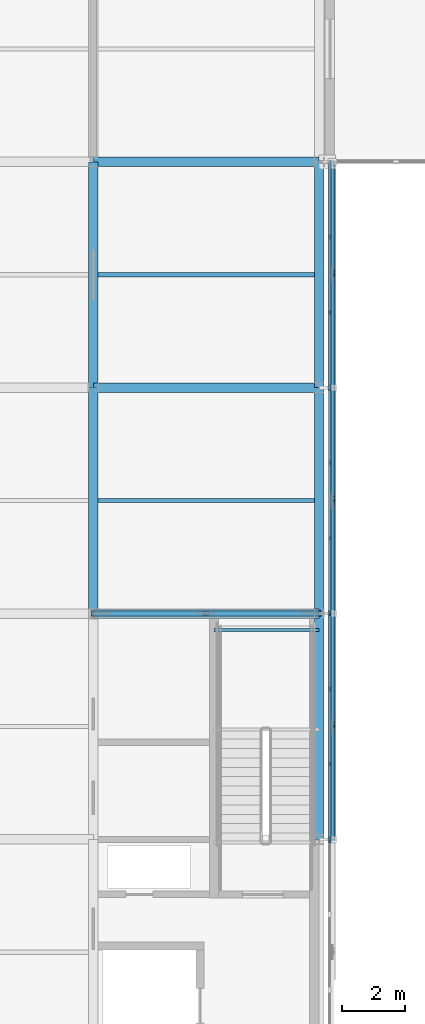
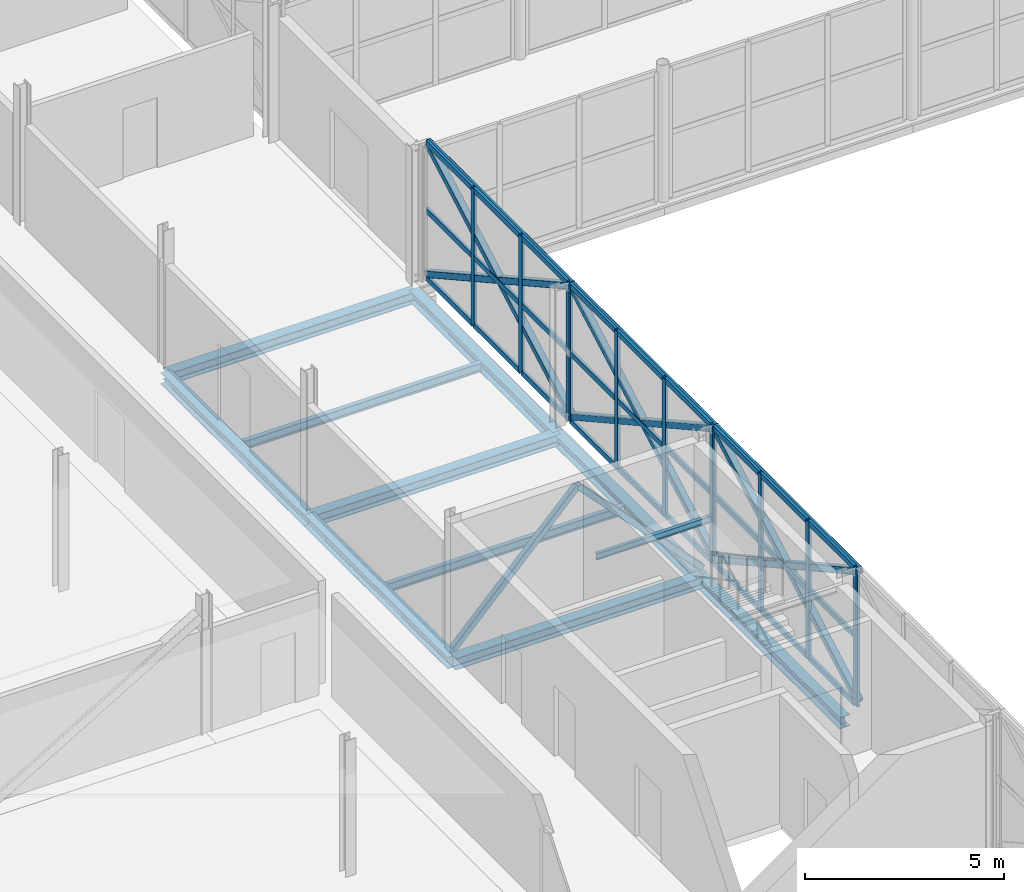
# One storey, part 44 of 126: 53 members, 11 beams, 4 elements without a shape of their own.
"""IFC4 building model written with IfcOpenShell, lengths in metres."""

import ifcopenshell
import ifcopenshell.guid

model = None  # the IFC model being written
_history = None  # IfcOwnerHistory: only IFC2X3 demands one
_inside = {}  # id of a spatial element -> (the spatial element, [elements in it])
_under = {}  # id of a project, library or spatial element -> (it, [spatial elements below it])
_declared = {}  # id of a project -> (the project, [libraries it declares])
_typed = {}  # id of a type object -> (the type object, [elements of that type])
_made_of = {}  # id of a material, layer set ... -> (it, [elements and type objects made of it])


def new_model(schema):
    """Start an empty IFC model of exactly this schema.

    Asked for "IFC4X3", IfcOpenShell would pick the latest addendum, in which some entities
    have other attributes; the version numbers below select the first issue.
    IFC2X3 requires an IfcOwnerHistory on every rooted entity: one is made here for all.
    """
    global model, _history
    if schema == "IFC4X3":
        model = ifcopenshell.file(schema_version=(4, 3, 0, 0))
    else:
        model = ifcopenshell.file(schema=schema)
    _inside.clear()
    _under.clear()
    _declared.clear()
    _typed.clear()
    _made_of.clear()
    _history = None
    if model.schema == "IFC2X3":
        org = make("IfcOrganization", Name="unknown")
        user = make(
            "IfcPersonAndOrganization",
            ThePerson=make("IfcPerson", FamilyName="unknown"),
            TheOrganization=org,
        )
        app = make(
            "IfcApplication",
            ApplicationDeveloper=org,
            Version="unknown",
            ApplicationFullName="unknown",
            ApplicationIdentifier="unknown",
        )
        _history = make(
            "IfcOwnerHistory",
            OwningUser=user,
            OwningApplication=app,
            ChangeAction="ADDED",
            CreationDate=0,
        )
    return model


def make(cls, **values):
    """One entity of the class cls with the attributes given. An attribute that is None is left unset."""
    return model.create_entity(
        cls, **{name: value for name, value in values.items() if value is not None}
    )


def rooted(cls, **values):
    """An entity with a GlobalId (a new one), such as an element, a storey or a relation."""
    return make(cls, GlobalId=ifcopenshell.guid.new(), OwnerHistory=_history, **values)


def si_unit(unit_type, name, prefix=None):
    """IfcSIUnit, for example si_unit("LENGTHUNIT", "METRE", prefix="MILLI")."""
    return make("IfcSIUnit", UnitType=unit_type, Prefix=prefix, Name=name)


def assignment(units):
    """IfcUnitAssignment: the units of a project."""
    return None if units is None else make("IfcUnitAssignment", Units=units)


def point(xyz):
    """IfcCartesianPoint."""
    return None if xyz is None else make("IfcCartesianPoint", Coordinates=xyz)


def direction(xyz):
    """IfcDirection."""
    return None if xyz is None else make("IfcDirection", DirectionRatios=xyz)


def frame(location, z_axis=None, x_axis=None):
    """IfcAxis2Placement3D, a coordinate frame: its origin and axes. An axis left out is left unset."""
    return make(
        "IfcAxis2Placement3D",
        Location=point(location),
        Axis=direction(z_axis),
        RefDirection=direction(x_axis),
    )


def frame_2d(location, x_axis=None):
    """IfcAxis2Placement2D, a coordinate frame in the plane: its origin and x axis."""
    return make(
        "IfcAxis2Placement2D", Location=point(location), RefDirection=direction(x_axis)
    )


def origin():
    """The frame at (0, 0, 0) with its axes left unset."""
    return frame((0.0, 0.0, 0.0))


def origin_2d():
    """The frame at (0, 0) in the plane with its x axis left unset."""
    return frame_2d((0.0, 0.0))


def place(relative_to, where):
    """IfcLocalPlacement: puts the frame where relative to a parent placement (None: the world)."""
    return make(
        "IfcLocalPlacement", PlacementRelTo=relative_to, RelativePlacement=where
    )


def context(
    kind, dimensions, precision=None, world=None, true_north=None, identifier=None
):
    """IfcGeometricRepresentationContext, for example the 3D "Model" context."""
    return make(
        "IfcGeometricRepresentationContext",
        ContextIdentifier=identifier,
        ContextType=kind,
        CoordinateSpaceDimension=dimensions,
        Precision=precision,
        WorldCoordinateSystem=world,
        TrueNorth=true_north,
    )


def subcontext(parent, identifier, kind, view, scale=None):
    """IfcGeometricRepresentationSubContext, for example "Body" below "Model"."""
    return make(
        "IfcGeometricRepresentationSubContext",
        ContextIdentifier=identifier,
        ContextType=kind,
        ParentContext=parent,
        TargetScale=scale,
        TargetView=view,
    )


def project(units=None, contexts=None):
    """IfcProject with its units and contexts."""
    return rooted(
        "IfcProject",
        Name="project",
        RepresentationContexts=contexts,
        UnitsInContext=assignment(units),
    )


def spatial(cls, under=None, at=None, **own):
    """A site, building, storey or space (cls), placed at a placement, below another one or the project."""
    s = rooted(cls, ObjectPlacement=at, **own)
    if under is not None:
        _under.setdefault(under.id(), (under, []))[1].append(s)
    return s


def profile(cls, at=None, kind="AREA", **sizes):
    """A parametric profile (cls). Its sizes go by their IFC names, for example OverallWidth=200.0."""
    return make(cls, ProfileType=kind, Position=at, **sizes)


def rectangle(**sizes):
    """IfcRectangleProfileDef."""
    return profile("IfcRectangleProfileDef", **sizes)


def hollow_rectangle(**sizes):
    """IfcRectangleHollowProfileDef."""
    return profile("IfcRectangleHollowProfileDef", **sizes)


def i_section(**sizes):
    """IfcIShapeProfileDef."""
    return profile("IfcIShapeProfileDef", **sizes)


def extrude(swept, where, along, depth):
    """IfcExtrudedAreaSolid: the profile swept, set in the frame where, extruded along a direction by depth."""
    return make(
        "IfcExtrudedAreaSolid",
        SweptArea=swept,
        Position=where,
        ExtrudedDirection=direction(along),
        Depth=depth,
    )


def shape(context_of_items, identifier, shape_type, items):
    """IfcShapeRepresentation: the items that make up one representation, for example the "Body"."""
    return make(
        "IfcShapeRepresentation",
        ContextOfItems=context_of_items,
        RepresentationIdentifier=identifier,
        RepresentationType=shape_type,
        Items=items,
    )


def material(Name=None, Category=None):
    """IfcMaterial."""
    return make("IfcMaterial", Name=Name, Category=Category)


def material_profile(
    of_material, cross_section, Name=None, Category=None, Priority=None
):
    """IfcMaterialProfile: a cross section and its material."""
    return make(
        "IfcMaterialProfile",
        Name=Name,
        Material=of_material,
        Profile=cross_section,
        Priority=Priority,
        Category=Category,
    )


def profile_set(profiles, Name=None, composite=None):
    """IfcMaterialProfileSet."""
    return make(
        "IfcMaterialProfileSet",
        Name=Name,
        MaterialProfiles=profiles,
        CompositeProfile=composite,
    )


def made_of(thing, what):
    """Note that an element or type object is made of a material, layer set ...; save() writes the relation."""
    if what is not None:
        _made_of.setdefault(what.id(), (what, []))[1].append(thing)
    return thing


def type_object(cls, material=None, **own):
    """A type object (cls), such as IfcWallType, which elements share."""
    return made_of(rooted(cls, **own), material)


def element(
    cls,
    number,
    at=None,
    inside=None,
    cuts=None,
    type_object=None,
    material=None,
    context=None,
    identifier="Body",
    shape_type=None,
    held_by="IfcProductDefinitionShape",
    body=None,
    shapes=None,
    **own,
):
    """One element of the class cls, such as IfcWall. Its Tag is "e" and its number.

    at: its placement. inside: the storey or other place that contains it. cuts: it is an
    opening in that element (IfcRelVoidsElement). A single representation is given by context,
    identifier, shape_type and body (its items); several are given by shapes. held_by: the class
    of the entity that holds the representations. save() writes the other relations.
    """
    e = rooted(cls, Tag="e%d" % number, ObjectPlacement=at, **own)
    if body is not None:
        shapes = [shape(context, identifier, shape_type, body)]
    if shapes is not None:
        e.Representation = make(held_by, Representations=shapes)
    if inside is not None:
        _inside.setdefault(inside.id(), (inside, []))[1].append(e)
    if cuts is not None:
        rooted(
            "IfcRelVoidsElement", RelatingBuildingElement=cuts, RelatedOpeningElement=e
        )
    if type_object is not None:
        _typed.setdefault(type_object.id(), (type_object, []))[1].append(e)
    return made_of(e, material)


def aggregate(whole, parts):
    """IfcRelAggregates: a whole, such as a stair, and the parts it consists of."""
    return rooted("IfcRelAggregates", RelatingObject=whole, RelatedObjects=parts)


def save(model, path):
    """Write the relations noted so far, then the file.

    IfcRelAggregates (storeys below a building ...), IfcRelContainedInSpatialStructure (elements
    in a storey), IfcRelDefinesByType, IfcRelAssociatesMaterial and IfcRelDeclares: one each for
    every whole, place, type object, material and project.
    """
    for whole, parts in _under.values():
        aggregate(whole, parts)
    for where, things in _inside.values():
        rooted(
            "IfcRelContainedInSpatialStructure",
            RelatedElements=things,
            RelatingStructure=where,
        )
    for kind, things in _typed.values():
        rooted("IfcRelDefinesByType", RelatedObjects=things, RelatingType=kind)
    for what, things in _made_of.values():
        rooted("IfcRelAssociatesMaterial", RelatedObjects=things, RelatingMaterial=what)
    for by, libraries in _declared.values():
        rooted("IfcRelDeclares", RelatingContext=by, RelatedDefinitions=libraries)
    model.write(path)


model = new_model("IFC4")

# Units and contexts
model_context = context("Model", 3, precision=1e-05, world=origin(), true_north=direction((0.0, 1.0)))
body_context = subcontext(model_context, "Body", "Model", "MODEL_VIEW")
ifc_project = project(units=[si_unit("LENGTHUNIT", "METRE"), si_unit("AREAUNIT", "SQUARE_METRE"), si_unit("VOLUMEUNIT", "CUBIC_METRE"), si_unit("PLANEANGLEUNIT", "RADIAN"), si_unit("MASSUNIT", "GRAM", prefix="KILO")], contexts=[model_context])

# Site, building, storey
site_placement = place(None, origin())
site = spatial("IfcSite", under=ifc_project, at=site_placement, CompositionType="ELEMENT")
building_placement = place(site_placement, origin())
building = spatial("IfcBuilding", under=site, at=building_placement, Name="Zlatovets Crest Museum", CompositionType="ELEMENT")
storey_placement = place(building_placement, frame((0.0, 0.0, 8.699951171875)))
storey = spatial("IfcBuildingStorey", under=building, at=storey_placement, Name="L02", CompositionType="ELEMENT", Elevation=8.699951171875)

# Beams
ifc_material_1 = material(Name="Structural steel S355J2", Category="steel")
ifc_material_profile_1 = material_profile(ifc_material_1, i_section(OverallWidth=0.300048828125, OverallDepth=0.35009765625, WebThickness=0.010009765625, FlangeThickness=0.017578125, FilletRadius=0.027099609375, at=origin_2d()), Name="HEA 360")
ifc_profile_set_1 = profile_set([ifc_material_profile_1], Name="Structural steel S355J2")
beam_type_1 = type_object("IfcBeamType", Name="Beam_B-03", PredefinedType="BEAM", material=ifc_profile_set_1)
for number, where, z_axis, x_axis, name in (
    (1, (28.800048828125, 72.0, -0.39501953125), (1.0, 0.0, 0.0), (0.0, 1.0, 0.0), "V4 L02 Primary Girder B-03"),
    (2, (28.800048828125, 79.199951171875, -0.39501953125), (1.0, 0.0, 0.0), (0.0, 1.0, 0.0), "V4 L02 Primary Girder B-03"),
    (3, (28.800048828125, 86.39990234375, -0.39501953125), (1.0, 0.0, 0.0), (0.0, 1.0, 0.0), "V4 L02 Primary Girder B-03"),
    (4, (28.800048828125, 72.0, -0.39501953125), (0.0, 1.0, 0.0), (-1.0, 0.0, 0.0), "V4 L02 Grid Beam B-03"),
    (5, (28.800048828125, 79.199951171875, -0.39501953125), (0.0, 1.0, 0.0), (-1.0, 0.0, 0.0), "V4 L02 Grid Beam B-03"),
    (6, (36.0, 64.800048828125, -0.39501953125), (0.0, 1.0, 0.0), (-1.0, 0.0, 0.0), "V4 L02 Grid Beam B-03"),
    (7, (36.0, 72.0, -0.39501953125), (0.0, 1.0, 0.0), (-1.0, 0.0, 0.0), "V4 L02 Grid Beam B-03"),
    (8, (36.0, 79.199951171875, -0.39501953125), (0.0, 1.0, 0.0), (-1.0, 0.0, 0.0), "V4 L02 Grid Beam B-03"),
):
    element("IfcBeam", number, at=place(storey_placement, frame(where, z_axis=z_axis, x_axis=x_axis)), inside=storey, type_object=beam_type_1, Name=name, PredefinedType="BEAM", context=body_context, shape_type="SweptSolid", body=[
        extrude(i_section(OverallWidth=0.300048828125, OverallDepth=0.35009765625, WebThickness=0.010009765625, FlangeThickness=0.017578125, FilletRadius=0.027099609375, at=origin_2d()), origin(), (0.0, 0.0, 1.0), 7.199951171875),
    ])
ifc_material_profile_2 = material_profile(ifc_material_1, i_section(OverallWidth=0.135009765625, OverallDepth=0.27001953125, WebThickness=0.006591796875, FlangeThickness=0.01025390625, FilletRadius=0.014892578125, at=origin_2d()), Name="IPE 270")
ifc_profile_set_2 = profile_set([ifc_material_profile_2], Name="Structural steel S355J2")
beam_type_2 = type_object("IfcBeamType", Name="Beam_J-03", PredefinedType="JOIST", material=ifc_profile_set_2)
for number, where, z_axis, x_axis, name in (
    (9, (28.949951171875, 75.60009765625, -0.35498046875), (1.0, 0.0, 0.0), (0.0, 1.0, 0.0), "V4 L02 Composite Joist J-03"),
    (10, (28.949951171875, 82.800048828125, -0.35498046875), (1.0, 0.0, 0.0), (0.0, 1.0, 0.0), "V4 L02 Composite Joist J-03"),
):
    element("IfcBeam", number, at=place(storey_placement, frame(where, z_axis=z_axis, x_axis=x_axis)), inside=storey, type_object=beam_type_2, Name=name, PredefinedType="JOIST", context=body_context, shape_type="SweptSolid", body=[
        extrude(i_section(OverallWidth=0.135009765625, OverallDepth=0.27001953125, WebThickness=0.006591796875, FlangeThickness=0.01025390625, FilletRadius=0.014892578125, at=origin_2d()), origin(), (0.0, 0.0, 1.0), 6.900146484375),
    ])
ifc_material_profile_3 = material_profile(ifc_material_1, i_section(OverallWidth=0.10009765625, OverallDepth=0.199951171875, WebThickness=0.005615234375, FlangeThickness=0.008544921875, FilletRadius=0.011962890625, at=origin_2d()), Name="IPE 200")
ifc_profile_set_3 = profile_set([ifc_material_profile_3], Name="Structural steel S355J2")
beam_type_3 = type_object("IfcBeamType", Name="Beam_PR-02", PredefinedType="LINTEL", material=ifc_profile_set_3)
beam_placement = place(storey_placement, frame((32.64990234375, 71.47998046875, 1.800048828125), z_axis=(1.0, 0.0, 0.0), x_axis=(0.0, 1.0, 0.0)))
element("IfcBeam", 11, at=beam_placement, inside=storey, type_object=beam_type_3, Name="Core C4 L02 Half-Landing Support Beam", PredefinedType="LINTEL", context=body_context, shape_type="SweptSolid", body=[
    extrude(i_section(OverallWidth=0.10009765625, OverallDepth=0.199951171875, WebThickness=0.005615234375, FlangeThickness=0.008544921875, FilletRadius=0.011962890625, at=origin_2d()), origin(), (0.0, 0.0, 1.0), 3.35009765625),
])

# Curtain wall, member
ifc_material_2 = material(Name="Bronze-anodised aluminium and low-E triple glass", Category="aluminium")
curtain_wall_type_1 = type_object("IfcCurtainWallType", Name="CW_CW-V4-L02-M1", PredefinedType="NOTDEFINED", material=ifc_material_2)
curtain_wall_1_placement = place(storey_placement, origin())
curtain_wall_1 = element("IfcCurtainWall", 12, at=curtain_wall_1_placement, inside=storey, type_object=curtain_wall_type_1, Name="V4 L02 Expressed Core Glazed Facade", PredefinedType="NOTDEFINED")
ifc_material_3 = material(Name="Bronze-anodised aluminium EN AW-6060", Category="aluminium")
ifc_material_profile_4 = material_profile(ifc_material_3, rectangle(XDim=0.080078125, YDim=0.159912109375, at=origin_2d()), Name="ALU 80x160")
ifc_profile_set_4 = profile_set([ifc_material_profile_4], Name="Bronze-anodised aluminium EN AW-6060")
member_type_1 = type_object("IfcMemberType", Name="CWMull_M1", PredefinedType="MULLION", material=ifc_profile_set_4)
member_1_placement = place(storey_placement, frame((36.340087890625, 64.77001953125, 0.0), z_axis=(0.0, 0.0, 1.0), x_axis=(-1.0, 0.0, 0.0)))
member_1 = element("IfcMember", 13, at=member_1_placement, type_object=member_type_1, Name="CW-V4-L02-M1 mullion 4", PredefinedType="MULLION", context=body_context, shape_type="SweptSolid", body=[
    extrude(rectangle(XDim=0.080078125, YDim=0.159912109375, at=origin_2d()), origin(), (0.0, 0.0, 1.0), 4.199951171875),
])
aggregate(curtain_wall_1, [member_1])

# Curtain wall, members
curtain_wall_type_2 = type_object("IfcCurtainWallType", Name="CW_CW-V4-L02-M2", PredefinedType="NOTDEFINED", material=ifc_material_2)
curtain_wall_2_placement = place(storey_placement, origin())
curtain_wall_2 = element("IfcCurtainWall", 14, at=curtain_wall_2_placement, inside=storey, type_object=curtain_wall_type_2, Name="V4 L02 Expressed Core Glazed Facade", PredefinedType="NOTDEFINED")
member_2_placement = place(storey_placement, frame((36.340087890625, 64.830078125, 0.0), z_axis=(0.0, 0.0, 1.0), x_axis=(-1.0, 0.0, 0.0)))
member_2 = element("IfcMember", 15, at=member_2_placement, type_object=member_type_1, Name="CW-V4-L02-M2 mullion 1", PredefinedType="MULLION", context=body_context, shape_type="SweptSolid", body=[
    extrude(rectangle(XDim=0.080078125, YDim=0.159912109375, at=origin_2d()), origin(), (0.0, 0.0, 1.0), 4.199951171875),
])
member_3_placement = place(storey_placement, frame((36.340087890625, 67.199951171875, 0.0), z_axis=(0.0, 0.0, 1.0), x_axis=(-1.0, 0.0, 0.0)))
member_3 = element("IfcMember", 16, at=member_3_placement, type_object=member_type_1, Name="CW-V4-L02-M2 mullion 2", PredefinedType="MULLION", context=body_context, shape_type="SweptSolid", body=[
    extrude(rectangle(XDim=0.080078125, YDim=0.159912109375, at=origin_2d()), origin(), (0.0, 0.0, 1.0), 4.199951171875),
])
member_4_placement = place(storey_placement, frame((36.340087890625, 69.60009765625, 0.0), z_axis=(0.0, 0.0, 1.0), x_axis=(-1.0, 0.0, 0.0)))
member_4 = element("IfcMember", 17, at=member_4_placement, type_object=member_type_1, Name="CW-V4-L02-M2 mullion 3", PredefinedType="MULLION", context=body_context, shape_type="SweptSolid", body=[
    extrude(rectangle(XDim=0.080078125, YDim=0.159912109375, at=origin_2d()), origin(), (0.0, 0.0, 1.0), 4.199951171875),
])
member_5_placement = place(storey_placement, frame((36.340087890625, 71.969970703125, 0.0), z_axis=(0.0, 0.0, 1.0), x_axis=(-1.0, 0.0, 0.0)))
member_5 = element("IfcMember", 18, at=member_5_placement, type_object=member_type_1, Name="CW-V4-L02-M2 mullion 4", PredefinedType="MULLION", context=body_context, shape_type="SweptSolid", body=[
    extrude(rectangle(XDim=0.080078125, YDim=0.159912109375, at=origin_2d()), origin(), (0.0, 0.0, 1.0), 4.199951171875),
])

curtain_wall_type_3 = type_object("IfcCurtainWallType", Name="CW_CW-V4-L02-M3", PredefinedType="NOTDEFINED", material=ifc_material_2)
curtain_wall_3_placement = place(storey_placement, origin())
curtain_wall_3 = element("IfcCurtainWall", 19, at=curtain_wall_3_placement, inside=storey, type_object=curtain_wall_type_3, Name="V4 L02 Secession Foyer Clear Curtain Wall", PredefinedType="NOTDEFINED")
member_6_placement = place(storey_placement, frame((36.340087890625, 72.030029296875, 0.0), z_axis=(0.0, 0.0, 1.0), x_axis=(-1.0, 0.0, 0.0)))
member_6 = element("IfcMember", 20, at=member_6_placement, type_object=member_type_1, Name="CW-V4-L02-M3 mullion 1", PredefinedType="MULLION", context=body_context, shape_type="SweptSolid", body=[
    extrude(rectangle(XDim=0.080078125, YDim=0.159912109375, at=origin_2d()), origin(), (0.0, 0.0, 1.0), 4.199951171875),
])
member_7_placement = place(storey_placement, frame((36.340087890625, 74.39990234375, 0.0), z_axis=(0.0, 0.0, 1.0), x_axis=(-1.0, 0.0, 0.0)))
member_7 = element("IfcMember", 21, at=member_7_placement, type_object=member_type_1, Name="CW-V4-L02-M3 mullion 2", PredefinedType="MULLION", context=body_context, shape_type="SweptSolid", body=[
    extrude(rectangle(XDim=0.080078125, YDim=0.159912109375, at=origin_2d()), origin(), (0.0, 0.0, 1.0), 4.199951171875),
])
member_8_placement = place(storey_placement, frame((36.340087890625, 76.800048828125, 0.0), z_axis=(0.0, 0.0, 1.0), x_axis=(-1.0, 0.0, 0.0)))
member_8 = element("IfcMember", 22, at=member_8_placement, type_object=member_type_1, Name="CW-V4-L02-M3 mullion 3", PredefinedType="MULLION", context=body_context, shape_type="SweptSolid", body=[
    extrude(rectangle(XDim=0.080078125, YDim=0.159912109375, at=origin_2d()), origin(), (0.0, 0.0, 1.0), 4.199951171875),
])
member_9_placement = place(storey_placement, frame((36.340087890625, 79.169921875, 0.0), z_axis=(0.0, 0.0, 1.0), x_axis=(-1.0, 0.0, 0.0)))
member_9 = element("IfcMember", 23, at=member_9_placement, type_object=member_type_1, Name="CW-V4-L02-M3 mullion 4", PredefinedType="MULLION", context=body_context, shape_type="SweptSolid", body=[
    extrude(rectangle(XDim=0.080078125, YDim=0.159912109375, at=origin_2d()), origin(), (0.0, 0.0, 1.0), 4.199951171875),
])

curtain_wall_type_4 = type_object("IfcCurtainWallType", Name="CW_CW-V4-L02-M0", PredefinedType="NOTDEFINED", material=ifc_material_2)
curtain_wall_4_placement = place(storey_placement, origin())
curtain_wall_4 = element("IfcCurtainWall", 24, at=curtain_wall_4_placement, inside=storey, type_object=curtain_wall_type_4, Name="V4 L02 Secession Foyer Clear Curtain Wall", PredefinedType="NOTDEFINED")
member_10_placement = place(storey_placement, frame((36.340087890625, 79.22998046875, 0.0), z_axis=(0.0, 0.0, 1.0), x_axis=(-1.0, 0.0, 0.0)))
member_10 = element("IfcMember", 25, at=member_10_placement, type_object=member_type_1, Name="CW-V4-L02-M0 mullion 1", PredefinedType="MULLION", context=body_context, shape_type="SweptSolid", body=[
    extrude(rectangle(XDim=0.080078125, YDim=0.159912109375, at=origin_2d()), origin(), (0.0, 0.0, 1.0), 4.199951171875),
])
member_11_placement = place(storey_placement, frame((36.340087890625, 81.60009765625, 0.0), z_axis=(0.0, 0.0, 1.0), x_axis=(-1.0, 0.0, 0.0)))
member_11 = element("IfcMember", 26, at=member_11_placement, type_object=member_type_1, Name="CW-V4-L02-M0 mullion 2", PredefinedType="MULLION", context=body_context, shape_type="SweptSolid", body=[
    extrude(rectangle(XDim=0.080078125, YDim=0.159912109375, at=origin_2d()), origin(), (0.0, 0.0, 1.0), 4.199951171875),
])
member_12_placement = place(storey_placement, frame((36.340087890625, 84.0, 0.0), z_axis=(0.0, 0.0, 1.0), x_axis=(-1.0, 0.0, 0.0)))
member_12 = element("IfcMember", 27, at=member_12_placement, type_object=member_type_1, Name="CW-V4-L02-M0 mullion 3", PredefinedType="MULLION", context=body_context, shape_type="SweptSolid", body=[
    extrude(rectangle(XDim=0.080078125, YDim=0.159912109375, at=origin_2d()), origin(), (0.0, 0.0, 1.0), 4.199951171875),
])

# Member
ifc_material_profile_5 = material_profile(ifc_material_3, rectangle(XDim=0.080078125, YDim=0.159912109375, at=origin_2d()), Name="ALU 80x160")
ifc_profile_set_5 = profile_set([ifc_material_profile_5], Name="Bronze-anodised aluminium EN AW-6060")
member_type_2 = type_object("IfcMemberType", Name="CWTrans_T1", PredefinedType="USERDEFINED", material=ifc_profile_set_5)
member_13_placement = place(storey_placement, frame((36.340087890625, 64.860107421875, 0.030029296875), z_axis=(0.0, 1.0, 0.0), x_axis=(-1.0, 0.0, 0.0)))
member_13 = element("IfcMember", 28, at=member_13_placement, type_object=member_type_2, Name="CW-V4-L02-M2 transom 1.1", ObjectType="TRANSOM", PredefinedType="USERDEFINED", context=body_context, shape_type="SweptSolid", body=[
    extrude(rectangle(XDim=0.080078125, YDim=0.159912109375, at=origin_2d()), origin(), (0.0, 0.0, 1.0), 2.309814453125),
])

member_14_placement = place(storey_placement, frame((36.340087890625, 64.860107421875, 2.10009765625), z_axis=(0.0, 1.0, 0.0), x_axis=(-1.0, 0.0, 0.0)))
member_14 = element("IfcMember", 29, at=member_14_placement, type_object=member_type_2, Name="CW-V4-L02-M2 transom 1.2", ObjectType="TRANSOM", PredefinedType="USERDEFINED", context=body_context, shape_type="SweptSolid", body=[
    extrude(rectangle(XDim=0.080078125, YDim=0.159912109375, at=origin_2d()), origin(), (0.0, 0.0, 1.0), 2.309814453125),
])

member_15_placement = place(storey_placement, frame((36.340087890625, 64.860107421875, 4.170166015625), z_axis=(0.0, 1.0, 0.0), x_axis=(-1.0, 0.0, 0.0)))
member_15 = element("IfcMember", 30, at=member_15_placement, type_object=member_type_2, Name="CW-V4-L02-M2 transom 1.3", ObjectType="TRANSOM", PredefinedType="USERDEFINED", context=body_context, shape_type="SweptSolid", body=[
    extrude(rectangle(XDim=0.080078125, YDim=0.159912109375, at=origin_2d()), origin(), (0.0, 0.0, 1.0), 2.309814453125),
])

member_16_placement = place(storey_placement, frame((36.340087890625, 67.22998046875, 0.030029296875), z_axis=(0.0, 1.0, 0.0), x_axis=(-1.0, 0.0, 0.0)))
member_16 = element("IfcMember", 31, at=member_16_placement, type_object=member_type_2, Name="CW-V4-L02-M2 transom 2.1", ObjectType="TRANSOM", PredefinedType="USERDEFINED", context=body_context, shape_type="SweptSolid", body=[
    extrude(rectangle(XDim=0.080078125, YDim=0.159912109375, at=origin_2d()), origin(), (0.0, 0.0, 1.0), 2.340087890625),
])

member_17_placement = place(storey_placement, frame((36.340087890625, 67.22998046875, 2.10009765625), z_axis=(0.0, 1.0, 0.0), x_axis=(-1.0, 0.0, 0.0)))
member_17 = element("IfcMember", 32, at=member_17_placement, type_object=member_type_2, Name="CW-V4-L02-M2 transom 2.2", ObjectType="TRANSOM", PredefinedType="USERDEFINED", context=body_context, shape_type="SweptSolid", body=[
    extrude(rectangle(XDim=0.080078125, YDim=0.159912109375, at=origin_2d()), origin(), (0.0, 0.0, 1.0), 2.340087890625),
])

member_18_placement = place(storey_placement, frame((36.340087890625, 67.22998046875, 4.170166015625), z_axis=(0.0, 1.0, 0.0), x_axis=(-1.0, 0.0, 0.0)))
member_18 = element("IfcMember", 33, at=member_18_placement, type_object=member_type_2, Name="CW-V4-L02-M2 transom 2.3", ObjectType="TRANSOM", PredefinedType="USERDEFINED", context=body_context, shape_type="SweptSolid", body=[
    extrude(rectangle(XDim=0.080078125, YDim=0.159912109375, at=origin_2d()), origin(), (0.0, 0.0, 1.0), 2.340087890625),
])

member_19_placement = place(storey_placement, frame((36.340087890625, 69.6298828125, 0.030029296875), z_axis=(0.0, 1.0, 0.0), x_axis=(-1.0, 0.0, 0.0)))
member_19 = element("IfcMember", 34, at=member_19_placement, type_object=member_type_2, Name="CW-V4-L02-M2 transom 3.1", ObjectType="TRANSOM", PredefinedType="USERDEFINED", context=body_context, shape_type="SweptSolid", body=[
    extrude(rectangle(XDim=0.080078125, YDim=0.159912109375, at=origin_2d()), origin(), (0.0, 0.0, 1.0), 2.31005859375),
])

member_20_placement = place(storey_placement, frame((36.340087890625, 69.6298828125, 2.10009765625), z_axis=(0.0, 1.0, 0.0), x_axis=(-1.0, 0.0, 0.0)))
member_20 = element("IfcMember", 35, at=member_20_placement, type_object=member_type_2, Name="CW-V4-L02-M2 transom 3.2", ObjectType="TRANSOM", PredefinedType="USERDEFINED", context=body_context, shape_type="SweptSolid", body=[
    extrude(rectangle(XDim=0.080078125, YDim=0.159912109375, at=origin_2d()), origin(), (0.0, 0.0, 1.0), 2.31005859375),
])

member_21_placement = place(storey_placement, frame((36.340087890625, 69.6298828125, 4.170166015625), z_axis=(0.0, 1.0, 0.0), x_axis=(-1.0, 0.0, 0.0)))
member_21 = element("IfcMember", 36, at=member_21_placement, type_object=member_type_2, Name="CW-V4-L02-M2 transom 3.3", ObjectType="TRANSOM", PredefinedType="USERDEFINED", context=body_context, shape_type="SweptSolid", body=[
    extrude(rectangle(XDim=0.080078125, YDim=0.159912109375, at=origin_2d()), origin(), (0.0, 0.0, 1.0), 2.31005859375),
])

aggregate(curtain_wall_2, [member_2, member_3, member_4, member_5, member_13, member_14, member_15, member_16, member_17, member_18, member_19, member_20, member_21])

member_22_placement = place(storey_placement, frame((36.340087890625, 72.06005859375, 0.030029296875), z_axis=(0.0, 1.0, 0.0), x_axis=(-1.0, 0.0, 0.0)))
member_22 = element("IfcMember", 37, at=member_22_placement, type_object=member_type_2, Name="CW-V4-L02-M3 transom 1.1", ObjectType="TRANSOM", PredefinedType="USERDEFINED", context=body_context, shape_type="SweptSolid", body=[
    extrude(rectangle(XDim=0.080078125, YDim=0.159912109375, at=origin_2d()), origin(), (0.0, 0.0, 1.0), 2.31005859375),
])

member_23_placement = place(storey_placement, frame((36.340087890625, 72.06005859375, 2.10009765625), z_axis=(0.0, 1.0, 0.0), x_axis=(-1.0, 0.0, 0.0)))
member_23 = element("IfcMember", 38, at=member_23_placement, type_object=member_type_2, Name="CW-V4-L02-M3 transom 1.2", ObjectType="TRANSOM", PredefinedType="USERDEFINED", context=body_context, shape_type="SweptSolid", body=[
    extrude(rectangle(XDim=0.080078125, YDim=0.159912109375, at=origin_2d()), origin(), (0.0, 0.0, 1.0), 2.31005859375),
])

member_24_placement = place(storey_placement, frame((36.340087890625, 72.06005859375, 4.170166015625), z_axis=(0.0, 1.0, 0.0), x_axis=(-1.0, 0.0, 0.0)))
member_24 = element("IfcMember", 39, at=member_24_placement, type_object=member_type_2, Name="CW-V4-L02-M3 transom 1.3", ObjectType="TRANSOM", PredefinedType="USERDEFINED", context=body_context, shape_type="SweptSolid", body=[
    extrude(rectangle(XDim=0.080078125, YDim=0.159912109375, at=origin_2d()), origin(), (0.0, 0.0, 1.0), 2.31005859375),
])

member_25_placement = place(storey_placement, frame((36.340087890625, 74.429931640625, 0.030029296875), z_axis=(0.0, 1.0, 0.0), x_axis=(-1.0, 0.0, 0.0)))
member_25 = element("IfcMember", 40, at=member_25_placement, type_object=member_type_2, Name="CW-V4-L02-M3 transom 2.1", ObjectType="TRANSOM", PredefinedType="USERDEFINED", context=body_context, shape_type="SweptSolid", body=[
    extrude(rectangle(XDim=0.080078125, YDim=0.159912109375, at=origin_2d()), origin(), (0.0, 0.0, 1.0), 2.340087890625),
])

member_26_placement = place(storey_placement, frame((36.340087890625, 74.429931640625, 2.10009765625), z_axis=(0.0, 1.0, 0.0), x_axis=(-1.0, 0.0, 0.0)))
member_26 = element("IfcMember", 41, at=member_26_placement, type_object=member_type_2, Name="CW-V4-L02-M3 transom 2.2", ObjectType="TRANSOM", PredefinedType="USERDEFINED", context=body_context, shape_type="SweptSolid", body=[
    extrude(rectangle(XDim=0.080078125, YDim=0.159912109375, at=origin_2d()), origin(), (0.0, 0.0, 1.0), 2.340087890625),
])

member_27_placement = place(storey_placement, frame((36.340087890625, 74.429931640625, 4.170166015625), z_axis=(0.0, 1.0, 0.0), x_axis=(-1.0, 0.0, 0.0)))
member_27 = element("IfcMember", 42, at=member_27_placement, type_object=member_type_2, Name="CW-V4-L02-M3 transom 2.3", ObjectType="TRANSOM", PredefinedType="USERDEFINED", context=body_context, shape_type="SweptSolid", body=[
    extrude(rectangle(XDim=0.080078125, YDim=0.159912109375, at=origin_2d()), origin(), (0.0, 0.0, 1.0), 2.340087890625),
])

member_28_placement = place(storey_placement, frame((36.340087890625, 76.830078125, 0.030029296875), z_axis=(0.0, 1.0, 0.0), x_axis=(-1.0, 0.0, 0.0)))
member_28 = element("IfcMember", 43, at=member_28_placement, type_object=member_type_2, Name="CW-V4-L02-M3 transom 3.1", ObjectType="TRANSOM", PredefinedType="USERDEFINED", context=body_context, shape_type="SweptSolid", body=[
    extrude(rectangle(XDim=0.080078125, YDim=0.159912109375, at=origin_2d()), origin(), (0.0, 0.0, 1.0), 2.309814453125),
])

member_29_placement = place(storey_placement, frame((36.340087890625, 76.830078125, 2.10009765625), z_axis=(0.0, 1.0, 0.0), x_axis=(-1.0, 0.0, 0.0)))
member_29 = element("IfcMember", 44, at=member_29_placement, type_object=member_type_2, Name="CW-V4-L02-M3 transom 3.2", ObjectType="TRANSOM", PredefinedType="USERDEFINED", context=body_context, shape_type="SweptSolid", body=[
    extrude(rectangle(XDim=0.080078125, YDim=0.159912109375, at=origin_2d()), origin(), (0.0, 0.0, 1.0), 2.309814453125),
])

member_30_placement = place(storey_placement, frame((36.340087890625, 76.830078125, 4.170166015625), z_axis=(0.0, 1.0, 0.0), x_axis=(-1.0, 0.0, 0.0)))
member_30 = element("IfcMember", 45, at=member_30_placement, type_object=member_type_2, Name="CW-V4-L02-M3 transom 3.3", ObjectType="TRANSOM", PredefinedType="USERDEFINED", context=body_context, shape_type="SweptSolid", body=[
    extrude(rectangle(XDim=0.080078125, YDim=0.159912109375, at=origin_2d()), origin(), (0.0, 0.0, 1.0), 2.309814453125),
])

aggregate(curtain_wall_3, [member_6, member_7, member_8, member_9, member_22, member_23, member_24, member_25, member_26, member_27, member_28, member_29, member_30])

member_31_placement = place(storey_placement, frame((36.340087890625, 79.260009765625, 0.030029296875), z_axis=(0.0, 1.0, 0.0), x_axis=(-1.0, 0.0, 0.0)))
member_31 = element("IfcMember", 46, at=member_31_placement, type_object=member_type_2, Name="CW-V4-L02-M0 transom 1.1", ObjectType="TRANSOM", PredefinedType="USERDEFINED", context=body_context, shape_type="SweptSolid", body=[
    extrude(rectangle(XDim=0.080078125, YDim=0.159912109375, at=origin_2d()), origin(), (0.0, 0.0, 1.0), 2.31005859375),
])

member_32_placement = place(storey_placement, frame((36.340087890625, 79.260009765625, 2.10009765625), z_axis=(0.0, 1.0, 0.0), x_axis=(-1.0, 0.0, 0.0)))
member_32 = element("IfcMember", 47, at=member_32_placement, type_object=member_type_2, Name="CW-V4-L02-M0 transom 1.2", ObjectType="TRANSOM", PredefinedType="USERDEFINED", context=body_context, shape_type="SweptSolid", body=[
    extrude(rectangle(XDim=0.080078125, YDim=0.159912109375, at=origin_2d()), origin(), (0.0, 0.0, 1.0), 2.31005859375),
])

member_33_placement = place(storey_placement, frame((36.340087890625, 79.260009765625, 4.170166015625), z_axis=(0.0, 1.0, 0.0), x_axis=(-1.0, 0.0, 0.0)))
member_33 = element("IfcMember", 48, at=member_33_placement, type_object=member_type_2, Name="CW-V4-L02-M0 transom 1.3", ObjectType="TRANSOM", PredefinedType="USERDEFINED", context=body_context, shape_type="SweptSolid", body=[
    extrude(rectangle(XDim=0.080078125, YDim=0.159912109375, at=origin_2d()), origin(), (0.0, 0.0, 1.0), 2.31005859375),
])

member_34_placement = place(storey_placement, frame((36.340087890625, 81.6298828125, 0.030029296875), z_axis=(0.0, 1.0, 0.0), x_axis=(-1.0, 0.0, 0.0)))
member_34 = element("IfcMember", 49, at=member_34_placement, type_object=member_type_2, Name="CW-V4-L02-M0 transom 2.1", ObjectType="TRANSOM", PredefinedType="USERDEFINED", context=body_context, shape_type="SweptSolid", body=[
    extrude(rectangle(XDim=0.080078125, YDim=0.159912109375, at=origin_2d()), origin(), (0.0, 0.0, 1.0), 2.340087890625),
])

member_35_placement = place(storey_placement, frame((36.340087890625, 81.6298828125, 2.10009765625), z_axis=(0.0, 1.0, 0.0), x_axis=(-1.0, 0.0, 0.0)))
member_35 = element("IfcMember", 50, at=member_35_placement, type_object=member_type_2, Name="CW-V4-L02-M0 transom 2.2", ObjectType="TRANSOM", PredefinedType="USERDEFINED", context=body_context, shape_type="SweptSolid", body=[
    extrude(rectangle(XDim=0.080078125, YDim=0.159912109375, at=origin_2d()), origin(), (0.0, 0.0, 1.0), 2.340087890625),
])

member_36_placement = place(storey_placement, frame((36.340087890625, 81.6298828125, 4.170166015625), z_axis=(0.0, 1.0, 0.0), x_axis=(-1.0, 0.0, 0.0)))
member_36 = element("IfcMember", 51, at=member_36_placement, type_object=member_type_2, Name="CW-V4-L02-M0 transom 2.3", ObjectType="TRANSOM", PredefinedType="USERDEFINED", context=body_context, shape_type="SweptSolid", body=[
    extrude(rectangle(XDim=0.080078125, YDim=0.159912109375, at=origin_2d()), origin(), (0.0, 0.0, 1.0), 2.340087890625),
])

member_37_placement = place(storey_placement, frame((36.340087890625, 84.030029296875, 0.030029296875), z_axis=(0.0, 1.0, 0.0), x_axis=(-1.0, 0.0, 0.0)))
member_37 = element("IfcMember", 52, at=member_37_placement, type_object=member_type_2, Name="CW-V4-L02-M0 transom 3.1", ObjectType="TRANSOM", PredefinedType="USERDEFINED", context=body_context, shape_type="SweptSolid", body=[
    extrude(rectangle(XDim=0.080078125, YDim=0.159912109375, at=origin_2d()), origin(), (0.0, 0.0, 1.0), 2.31005859375),
])

member_38_placement = place(storey_placement, frame((36.340087890625, 84.030029296875, 2.10009765625), z_axis=(0.0, 1.0, 0.0), x_axis=(-1.0, 0.0, 0.0)))
member_38 = element("IfcMember", 53, at=member_38_placement, type_object=member_type_2, Name="CW-V4-L02-M0 transom 3.2", ObjectType="TRANSOM", PredefinedType="USERDEFINED", context=body_context, shape_type="SweptSolid", body=[
    extrude(rectangle(XDim=0.080078125, YDim=0.159912109375, at=origin_2d()), origin(), (0.0, 0.0, 1.0), 2.31005859375),
])

member_39_placement = place(storey_placement, frame((36.340087890625, 84.030029296875, 4.170166015625), z_axis=(0.0, 1.0, 0.0), x_axis=(-1.0, 0.0, 0.0)))
member_39 = element("IfcMember", 54, at=member_39_placement, type_object=member_type_2, Name="CW-V4-L02-M0 transom 3.3", ObjectType="TRANSOM", PredefinedType="USERDEFINED", context=body_context, shape_type="SweptSolid", body=[
    extrude(rectangle(XDim=0.080078125, YDim=0.159912109375, at=origin_2d()), origin(), (0.0, 0.0, 1.0), 2.31005859375),
])

aggregate(curtain_wall_4, [member_10, member_11, member_12, member_31, member_32, member_33, member_34, member_35, member_36, member_37, member_38, member_39])

# Members
ifc_material_4 = material(Name="Weathering bronze-steel S355J2W", Category="steel")
ifc_material_profile_6 = material_profile(ifc_material_4, hollow_rectangle(XDim=0.199951171875, YDim=0.199951171875, WallThickness=0.012451171875, InnerFilletRadius=0.012451171875, OuterFilletRadius=0.02490234375, at=origin_2d()), Name="SHS 200x200x12.5")
ifc_profile_set_6 = profile_set([ifc_material_profile_6], Name="Weathering bronze-steel S355J2W")
member_type_3 = type_object("IfcMemberType", Name="Lattice_XL-02", PredefinedType="BRACE", material=ifc_profile_set_6)
member_40_placement = place(storey_placement, frame((36.419921875, 64.800048828125, 0.10009765625), z_axis=(0.0, 0.874155877937, 0.485645447903), x_axis=(-1.0, 0.0, 0.0)))
element("IfcMember", 55, at=member_40_placement, inside=storey, type_object=member_type_3, Name="Continuous Bronze Lattice Diagonal", PredefinedType="BRACE", context=body_context, shape_type="SweptSolid", body=[
    extrude(hollow_rectangle(XDim=0.199951171875, YDim=0.199951171875, WallThickness=0.012451171875, InnerFilletRadius=0.012451171875, OuterFilletRadius=0.02490234375, at=origin_2d()), origin(), (0.0, 0.0, 1.0), 8.236572265625),
])
member_41_placement = place(storey_placement, frame((36.419921875, 64.800048828125, 4.10009765625), z_axis=(0.0, 0.874151551165, -0.485653235958), x_axis=(-1.0, 0.0, 0.0)))
element("IfcMember", 56, at=member_41_placement, inside=storey, type_object=member_type_3, Name="Split Crossing Bronze Lattice Diagonal Upper", PredefinedType="BRACE", context=body_context, shape_type="SweptSolid", body=[
    extrude(hollow_rectangle(XDim=0.199951171875, YDim=0.199951171875, WallThickness=0.012451171875, InnerFilletRadius=0.012451171875, OuterFilletRadius=0.02490234375, at=origin_2d()), origin(), (0.0, 0.0, 1.0), 4.023193359375),
])
member_42_placement = place(storey_placement, frame((36.419921875, 68.48291015625, 2.053955078125), z_axis=(0.0, 0.874165862873, -0.485627474703), x_axis=(-1.0, 0.0, 0.0)))
element("IfcMember", 57, at=member_42_placement, inside=storey, type_object=member_type_3, Name="Split Crossing Bronze Lattice Diagonal Lower", PredefinedType="BRACE", context=body_context, shape_type="SweptSolid", body=[
    extrude(hollow_rectangle(XDim=0.199951171875, YDim=0.199951171875, WallThickness=0.012451171875, InnerFilletRadius=0.012451171875, OuterFilletRadius=0.02490234375, at=origin_2d()), origin(), (0.0, 0.0, 1.0), 4.0234375),
])
member_43_placement = place(storey_placement, frame((36.419921875, 72.0, 0.10009765625), z_axis=(0.0, 0.874155877937, 0.485645447903), x_axis=(-1.0, 0.0, 0.0)))
element("IfcMember", 58, at=member_43_placement, inside=storey, type_object=member_type_3, Name="Continuous Bronze Lattice Diagonal", PredefinedType="BRACE", context=body_context, shape_type="SweptSolid", body=[
    extrude(hollow_rectangle(XDim=0.199951171875, YDim=0.199951171875, WallThickness=0.012451171875, InnerFilletRadius=0.012451171875, OuterFilletRadius=0.02490234375, at=origin_2d()), origin(), (0.0, 0.0, 1.0), 8.236572265625),
])
member_44_placement = place(storey_placement, frame((36.419921875, 72.0, 4.10009765625), z_axis=(0.0, 0.874165862873, -0.485627474703), x_axis=(-1.0, 0.0, 0.0)))
element("IfcMember", 59, at=member_44_placement, inside=storey, type_object=member_type_3, Name="Split Crossing Bronze Lattice Diagonal Upper", PredefinedType="BRACE", context=body_context, shape_type="SweptSolid", body=[
    extrude(hollow_rectangle(XDim=0.199951171875, YDim=0.199951171875, WallThickness=0.012451171875, InnerFilletRadius=0.012451171875, OuterFilletRadius=0.02490234375, at=origin_2d()), origin(), (0.0, 0.0, 1.0), 4.0234375),
])
member_45_placement = place(storey_placement, frame((36.419921875, 75.68310546875, 2.053955078125), z_axis=(0.0, 0.874151551165, -0.485653235958), x_axis=(-1.0, 0.0, 0.0)))
element("IfcMember", 60, at=member_45_placement, inside=storey, type_object=member_type_3, Name="Split Crossing Bronze Lattice Diagonal Lower", PredefinedType="BRACE", context=body_context, shape_type="SweptSolid", body=[
    extrude(hollow_rectangle(XDim=0.199951171875, YDim=0.199951171875, WallThickness=0.012451171875, InnerFilletRadius=0.012451171875, OuterFilletRadius=0.02490234375, at=origin_2d()), origin(), (0.0, 0.0, 1.0), 4.023193359375),
])
member_46_placement = place(storey_placement, frame((36.419921875, 79.199951171875, 0.10009765625), z_axis=(0.0, 0.874155877937, 0.485645447903), x_axis=(-1.0, 0.0, 0.0)))
element("IfcMember", 61, at=member_46_placement, inside=storey, type_object=member_type_3, Name="Continuous Bronze Lattice Diagonal", PredefinedType="BRACE", context=body_context, shape_type="SweptSolid", body=[
    extrude(hollow_rectangle(XDim=0.199951171875, YDim=0.199951171875, WallThickness=0.012451171875, InnerFilletRadius=0.012451171875, OuterFilletRadius=0.02490234375, at=origin_2d()), origin(), (0.0, 0.0, 1.0), 8.236572265625),
])
member_47_placement = place(storey_placement, frame((36.419921875, 79.199951171875, 4.10009765625), z_axis=(0.0, 0.874165862873, -0.485627474703), x_axis=(-1.0, 0.0, 0.0)))
element("IfcMember", 62, at=member_47_placement, inside=storey, type_object=member_type_3, Name="Split Crossing Bronze Lattice Diagonal Upper", PredefinedType="BRACE", context=body_context, shape_type="SweptSolid", body=[
    extrude(hollow_rectangle(XDim=0.199951171875, YDim=0.199951171875, WallThickness=0.012451171875, InnerFilletRadius=0.012451171875, OuterFilletRadius=0.02490234375, at=origin_2d()), origin(), (0.0, 0.0, 1.0), 4.0234375),
])
member_48_placement = place(storey_placement, frame((36.419921875, 82.883056640625, 2.053955078125), z_axis=(0.0, 0.874151551165, -0.485653235958), x_axis=(-1.0, 0.0, 0.0)))
element("IfcMember", 63, at=member_48_placement, inside=storey, type_object=member_type_3, Name="Split Crossing Bronze Lattice Diagonal Lower", PredefinedType="BRACE", context=body_context, shape_type="SweptSolid", body=[
    extrude(hollow_rectangle(XDim=0.199951171875, YDim=0.199951171875, WallThickness=0.012451171875, InnerFilletRadius=0.012451171875, OuterFilletRadius=0.02490234375, at=origin_2d()), origin(), (0.0, 0.0, 1.0), 4.023193359375),
])
ifc_material_profile_7 = material_profile(ifc_material_4, hollow_rectangle(XDim=0.1201171875, YDim=0.239990234375, WallThickness=0.010009765625, InnerFilletRadius=0.010009765625, OuterFilletRadius=0.02001953125, at=origin_2d()), Name="RHS 120x240x10.0")
ifc_profile_set_7 = profile_set([ifc_material_profile_7], Name="Weathering bronze-steel S355J2W")
member_type_4 = type_object("IfcMemberType", Name="Lattice_XL-04", PredefinedType="CHORD", material=ifc_profile_set_7)
for number, where, z_axis, x_axis, name in (
    (64, (36.419921875, 64.800048828125, 4.10009765625), (0.0, 1.0, 0.0), (-1.0, 0.0, 0.0), "Art Nouveau Woven Cage Collector Ring Chord"),
    (65, (36.419921875, 72.0, 4.10009765625), (0.0, 1.0, 0.0), (-1.0, 0.0, 0.0), "Art Nouveau Woven Cage Collector Ring Chord"),
    (66, (36.419921875, 79.199951171875, 4.10009765625), (0.0, 1.0, 0.0), (-1.0, 0.0, 0.0), "Art Nouveau Woven Cage Collector Ring Chord"),
):
    element("IfcMember", number, at=place(storey_placement, frame(where, z_axis=z_axis, x_axis=x_axis)), inside=storey, type_object=member_type_4, Name=name, PredefinedType="CHORD", context=body_context, shape_type="SweptSolid", body=[
        extrude(hollow_rectangle(XDim=0.1201171875, YDim=0.239990234375, WallThickness=0.010009765625, InnerFilletRadius=0.010009765625, OuterFilletRadius=0.02001953125, at=origin_2d()), origin(), (0.0, 0.0, 1.0), 7.199951171875),
    ])
ifc_material_profile_8 = material_profile(ifc_material_1, hollow_rectangle(XDim=0.179931640625, YDim=0.179931640625, WallThickness=0.010009765625, InnerFilletRadius=0.010009765625, OuterFilletRadius=0.02001953125, at=origin_2d()), Name="SHS 180x180x10.0")
ifc_profile_set_8 = profile_set([ifc_material_profile_8], Name="Structural steel S355J2")
member_type_5 = type_object("IfcMemberType", Name="Member_BR-02", PredefinedType="BRACE", material=ifc_profile_set_8)
member_49_placement = place(storey_placement, frame((28.800048828125, 72.0, 0.0), z_axis=(0.692517163318, 0.0, 0.721401399021), x_axis=(0.0, 1.0, 0.0)))
element("IfcMember", 67, at=member_49_placement, inside=storey, type_object=member_type_5, Name="V4 L02 Concentric Seismic Brace", PredefinedType="BRACE", context=body_context, shape_type="SweptSolid", body=[
    extrude(hollow_rectangle(XDim=0.179931640625, YDim=0.179931640625, WallThickness=0.010009765625, InnerFilletRadius=0.010009765625, OuterFilletRadius=0.02001953125, at=origin_2d()), origin(), (0.0, 0.0, 1.0), 5.1982421875),
])
member_50_placement = place(storey_placement, frame((36.0, 72.0, 0.0), z_axis=(-0.692541604294, 0.0, 0.721377935844), x_axis=(0.0, -1.0, 0.0)))
element("IfcMember", 68, at=member_50_placement, inside=storey, type_object=member_type_5, Name="V4 L02 Concentric Seismic Brace", PredefinedType="BRACE", context=body_context, shape_type="SweptSolid", body=[
    extrude(hollow_rectangle(XDim=0.179931640625, YDim=0.179931640625, WallThickness=0.010009765625, InnerFilletRadius=0.010009765625, OuterFilletRadius=0.02001953125, at=origin_2d()), origin(), (0.0, 0.0, 1.0), 5.198486328125),
])

save(model, "model.ifc")
